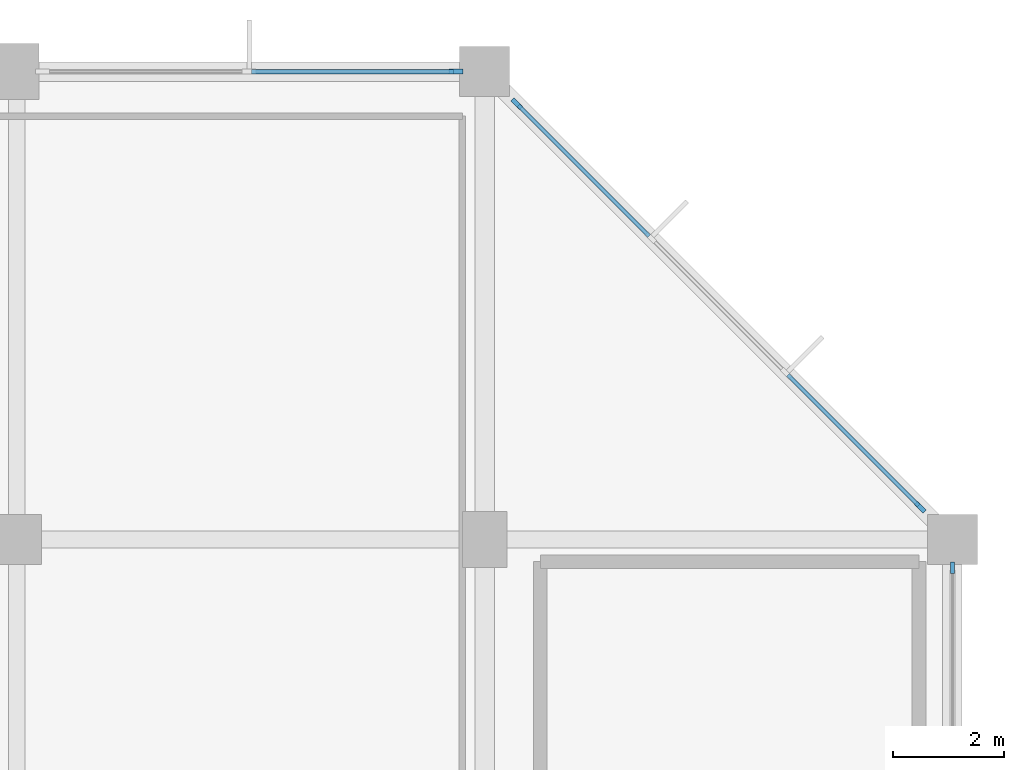
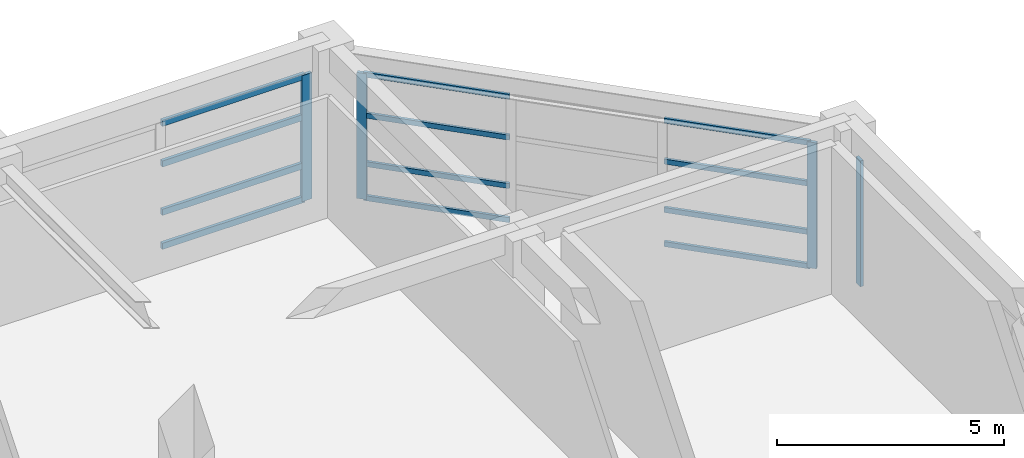
# One storey, part 7 of 12: 16 members, 3 elements without a shape of their own.
"""IFC4 building model written with IfcOpenShell, lengths in metres."""

from ifc_helpers import new_model, si_unit, direction, frame, origin, origin_2d, place, context, subcontext, project, spatial, rectangle, extrude, material, material_profile, profile_set, type_object, element, aggregate, save


model = new_model("IFC4")

# Units and contexts
model_context = context("Model", 3, precision=1e-05, world=origin(), true_north=direction((0.0, 1.0)))
body_context = subcontext(model_context, "Body", "Model", "MODEL_VIEW")
ifc_project = project(units=[si_unit("LENGTHUNIT", "METRE"), si_unit("AREAUNIT", "SQUARE_METRE"), si_unit("VOLUMEUNIT", "CUBIC_METRE"), si_unit("PLANEANGLEUNIT", "RADIAN"), si_unit("MASSUNIT", "GRAM", prefix="KILO")], contexts=[model_context])

# Site, building, storey
site_placement = place(None, origin())
site = spatial("IfcSite", under=ifc_project, at=site_placement, CompositionType="ELEMENT")
building_placement = place(site_placement, origin())
building = spatial("IfcBuilding", under=site, at=building_placement, Name="Xuanlan Plaza Opera House", CompositionType="ELEMENT")
storey_placement = place(building_placement, frame((0.0, 0.0, 61.5)))
storey = spatial("IfcBuildingStorey", under=building, at=storey_placement, Name="L14", CompositionType="ELEMENT", Elevation=61.5)

# Curtain wall, member
ifc_material_1 = material(Name="Anodised Aluminium 6063-T6 and Low-E Glass", Category="aluminium")
curtain_wall_type_1 = type_object("IfcCurtainWallType", Name="ENV-CW-CW-03", PredefinedType="USERDEFINED", material=ifc_material_1)
curtain_wall_1_placement = place(storey_placement, origin())
curtain_wall_1 = element("IfcCurtainWall", 1, at=curtain_wall_1_placement, inside=storey, type_object=curtain_wall_type_1, Name="Unitised Curtain Wall L14-007", ObjectType="UNITISED CURTAIN WALL", PredefinedType="USERDEFINED")
ifc_material_2 = material(Name="Anodised Aluminium 6063-T6", Category="aluminium")
ifc_material_profile_1 = material_profile(ifc_material_2, rectangle(XDim=0.074951171875, YDim=0.199951171875, at=origin_2d()), Name="ALU-M 75x200")
ifc_profile_set_1 = profile_set([ifc_material_profile_1], Name="Anodised Aluminium 6063-T6")
member_type_1 = type_object("IfcMemberType", Name="ENV-CWM-03", PredefinedType="MULLION", material=ifc_profile_set_1)
member_1_placement = place(storey_placement, frame((159.60009765625, 75.092529296875, 0.0), z_axis=(0.0, 0.0, 1.0), x_axis=(-1.0, 0.0, 0.0)))
member_1 = element("IfcMember", 2, at=member_1_placement, type_object=member_type_1, Name="CW-03 mullion 3", PredefinedType="MULLION", context=body_context, shape_type="SweptSolid", body=[
    extrude(rectangle(XDim=0.074951171875, YDim=0.199951171875, at=origin_2d()), origin(), (0.0, 0.0, 1.0), 3.3798828125),
])
aggregate(curtain_wall_1, [member_1])

# Curtain wall, members
curtain_wall_type_2 = type_object("IfcCurtainWallType", Name="ENV-CW-CW-04", PredefinedType="USERDEFINED", material=ifc_material_1)
curtain_wall_2_placement = place(storey_placement, origin())
curtain_wall_2 = element("IfcCurtainWall", 3, at=curtain_wall_2_placement, inside=storey, type_object=curtain_wall_type_2, Name="Unitised Curtain Wall L14-008", ObjectType="UNITISED CURTAIN WALL", PredefinedType="USERDEFINED")
ifc_material_profile_2 = material_profile(ifc_material_2, rectangle(XDim=0.080078125, YDim=0.219970703125, at=origin_2d()), Name="ALU-M 80x220")
ifc_profile_set_2 = profile_set([ifc_material_profile_2], Name="Anodised Aluminium 6063-T6")
member_type_2 = type_object("IfcMemberType", Name="ENV-CWM-04", PredefinedType="MULLION", material=ifc_profile_set_2)
member_2_placement = place(storey_placement, frame((159.022705078125, 76.17724609375, 0.0), z_axis=(0.0, 0.0, 1.0), x_axis=(-0.707106781187, -0.707106781187, 0.0)))
member_2 = element("IfcMember", 4, at=member_2_placement, type_object=member_type_2, Name="CW-04 mullion 1", PredefinedType="MULLION", context=body_context, shape_type="SweptSolid", body=[
    extrude(rectangle(XDim=0.080078125, YDim=0.219970703125, at=origin_2d()), origin(), (0.0, 0.0, 1.0), 3.3798828125),
])
member_3_placement = place(storey_placement, frame((151.77734375, 83.422607421875, 0.0), z_axis=(0.0, 0.0, 1.0), x_axis=(-0.707106781187, -0.707106781187, 0.0)))
member_3 = element("IfcMember", 5, at=member_3_placement, type_object=member_type_2, Name="CW-04 mullion 4", PredefinedType="MULLION", context=body_context, shape_type="SweptSolid", body=[
    extrude(rectangle(XDim=0.080078125, YDim=0.219970703125, at=origin_2d()), origin(), (0.0, 0.0, 1.0), 3.3798828125),
])

# Curtain wall, member
curtain_wall_type_3 = type_object("IfcCurtainWallType", Name="ENV-CW-CW-01", PredefinedType="USERDEFINED", material=ifc_material_1)
curtain_wall_3_placement = place(storey_placement, origin())
curtain_wall_3 = element("IfcCurtainWall", 6, at=curtain_wall_3_placement, inside=storey, type_object=curtain_wall_type_3, Name="Unitised Curtain Wall L14-009", ObjectType="UNITISED CURTAIN WALL", PredefinedType="USERDEFINED")
ifc_material_profile_3 = material_profile(ifc_material_2, rectangle(XDim=0.090087890625, YDim=0.25, at=origin_2d()), Name="ALU-M 90x250")
ifc_profile_set_3 = profile_set([ifc_material_profile_3], Name="Anodised Aluminium 6063-T6")
member_type_3 = type_object("IfcMemberType", Name="ENV-CWM-05", PredefinedType="MULLION", material=ifc_profile_set_3)
member_4_placement = place(storey_placement, frame((150.68505859375, 84.0, 0.0), z_axis=(0.0, 0.0, 1.0), x_axis=(0.0, -1.0, 0.0)))
member_4 = element("IfcMember", 7, at=member_4_placement, type_object=member_type_3, Name="CW-01 mullion 1", PredefinedType="MULLION", context=body_context, shape_type="SweptSolid", body=[
    extrude(rectangle(XDim=0.090087890625, YDim=0.25, at=origin_2d()), origin(), (0.0, 0.0, 1.0), 3.3798828125),
])

# Member
ifc_material_profile_4 = material_profile(ifc_material_2, rectangle(XDim=0.070068359375, YDim=0.135009765625, at=origin_2d()), Name="ALU-T 70x135")
ifc_profile_set_4 = profile_set([ifc_material_profile_4], Name="Anodised Aluminium 6063-T6")
member_type_4 = type_object("IfcMemberType", Name="ENV-CWT-02", PredefinedType="USERDEFINED", material=ifc_profile_set_4)
member_5_placement = place(storey_placement, frame((158.994384765625, 76.20556640625, 0.034912109375), z_axis=(-0.707106781187, 0.707106781187, 0.0), x_axis=(-0.707106781187, -0.707106781187, 0.0)))
member_5 = element("IfcMember", 8, at=member_5_placement, type_object=member_type_4, Name="CW-04 transom 1.1", ObjectType="TRANSOM", PredefinedType="USERDEFINED", context=body_context, shape_type="SweptSolid", body=[
    extrude(rectangle(XDim=0.070068359375, YDim=0.135009765625, at=origin_2d()), origin(), (0.0, 0.0, 1.0), 3.322265625),
])

member_6_placement = place(storey_placement, frame((158.994384765625, 76.20556640625, 0.949951171875), z_axis=(-0.707106781187, 0.707106781187, 0.0), x_axis=(-0.707106781187, -0.707106781187, 0.0)))
member_6 = element("IfcMember", 9, at=member_6_placement, type_object=member_type_4, Name="CW-04 transom 1.2", ObjectType="TRANSOM", PredefinedType="USERDEFINED", context=body_context, shape_type="SweptSolid", body=[
    extrude(rectangle(XDim=0.070068359375, YDim=0.135009765625, at=origin_2d()), origin(), (0.0, 0.0, 1.0), 3.322265625),
])

member_7_placement = place(storey_placement, frame((158.994384765625, 76.20556640625, 2.25), z_axis=(-0.707106781187, 0.707106781187, 0.0), x_axis=(-0.707106781187, -0.707106781187, 0.0)))
member_7 = element("IfcMember", 10, at=member_7_placement, type_object=member_type_4, Name="CW-04 transom 1.3", ObjectType="TRANSOM", PredefinedType="USERDEFINED", context=body_context, shape_type="SweptSolid", body=[
    extrude(rectangle(XDim=0.070068359375, YDim=0.135009765625, at=origin_2d()), origin(), (0.0, 0.0, 1.0), 3.322265625),
])

member_8_placement = place(storey_placement, frame((158.994384765625, 76.20556640625, 3.344970703125), z_axis=(-0.707106781187, 0.707106781187, 0.0), x_axis=(-0.707106781187, -0.707106781187, 0.0)))
member_8 = element("IfcMember", 11, at=member_8_placement, type_object=member_type_4, Name="CW-04 transom 1.4", ObjectType="TRANSOM", PredefinedType="USERDEFINED", context=body_context, shape_type="SweptSolid", body=[
    extrude(rectangle(XDim=0.070068359375, YDim=0.135009765625, at=origin_2d()), origin(), (0.0, 0.0, 1.0), 3.322265625),
])

member_9_placement = place(storey_placement, frame((154.15478515625, 81.045166015625, 0.034912109375), z_axis=(-0.707070037869, 0.707143522595, 0.0), x_axis=(-0.707143522595, -0.707070037869, 0.0)))
member_9 = element("IfcMember", 12, at=member_9_placement, type_object=member_type_4, Name="CW-04 transom 3.1", ObjectType="TRANSOM", PredefinedType="USERDEFINED", context=body_context, shape_type="SweptSolid", body=[
    extrude(rectangle(XDim=0.070068359375, YDim=0.135009765625, at=origin_2d()), origin(), (0.0, 0.0, 1.0), 3.322265625),
])

member_10_placement = place(storey_placement, frame((154.15478515625, 81.045166015625, 0.949951171875), z_axis=(-0.707070037869, 0.707143522595, 0.0), x_axis=(-0.707143522595, -0.707070037869, 0.0)))
member_10 = element("IfcMember", 13, at=member_10_placement, type_object=member_type_4, Name="CW-04 transom 3.2", ObjectType="TRANSOM", PredefinedType="USERDEFINED", context=body_context, shape_type="SweptSolid", body=[
    extrude(rectangle(XDim=0.070068359375, YDim=0.135009765625, at=origin_2d()), origin(), (0.0, 0.0, 1.0), 3.322265625),
])

member_11_placement = place(storey_placement, frame((154.15478515625, 81.045166015625, 2.25), z_axis=(-0.707070037869, 0.707143522595, 0.0), x_axis=(-0.707143522595, -0.707070037869, 0.0)))
member_11 = element("IfcMember", 14, at=member_11_placement, type_object=member_type_4, Name="CW-04 transom 3.3", ObjectType="TRANSOM", PredefinedType="USERDEFINED", context=body_context, shape_type="SweptSolid", body=[
    extrude(rectangle(XDim=0.070068359375, YDim=0.135009765625, at=origin_2d()), origin(), (0.0, 0.0, 1.0), 3.322265625),
])

member_12_placement = place(storey_placement, frame((154.15478515625, 81.045166015625, 3.344970703125), z_axis=(-0.707070037869, 0.707143522595, 0.0), x_axis=(-0.707143522595, -0.707070037869, 0.0)))
member_12 = element("IfcMember", 15, at=member_12_placement, type_object=member_type_4, Name="CW-04 transom 3.4", ObjectType="TRANSOM", PredefinedType="USERDEFINED", context=body_context, shape_type="SweptSolid", body=[
    extrude(rectangle(XDim=0.070068359375, YDim=0.135009765625, at=origin_2d()), origin(), (0.0, 0.0, 1.0), 3.322265625),
])

aggregate(curtain_wall_2, [member_2, member_3, member_5, member_6, member_7, member_8, member_9, member_10, member_11, member_12])

ifc_material_profile_5 = material_profile(ifc_material_2, rectangle(XDim=0.080078125, YDim=0.1650390625, at=origin_2d()), Name="ALU-T 80x165")
ifc_profile_set_5 = profile_set([ifc_material_profile_5], Name="Anodised Aluminium 6063-T6")
member_type_5 = type_object("IfcMemberType", Name="ENV-CWT-04", PredefinedType="USERDEFINED", material=ifc_profile_set_5)
member_13_placement = place(storey_placement, frame((150.639892578125, 84.0, 0.0400390625), z_axis=(-1.0, 0.0, 0.0), x_axis=(0.0, -1.0, 0.0)))
member_13 = element("IfcMember", 16, at=member_13_placement, type_object=member_type_5, Name="CW-01 transom 1.1", ObjectType="TRANSOM", PredefinedType="USERDEFINED", context=body_context, shape_type="SweptSolid", body=[
    extrude(rectangle(XDim=0.080078125, YDim=0.1650390625, at=origin_2d()), origin(), (0.0, 0.0, 1.0), 3.619873046875),
])

member_14_placement = place(storey_placement, frame((150.639892578125, 84.0, 0.949951171875), z_axis=(-1.0, 0.0, 0.0), x_axis=(0.0, -1.0, 0.0)))
member_14 = element("IfcMember", 17, at=member_14_placement, type_object=member_type_5, Name="CW-01 transom 1.2", ObjectType="TRANSOM", PredefinedType="USERDEFINED", context=body_context, shape_type="SweptSolid", body=[
    extrude(rectangle(XDim=0.080078125, YDim=0.1650390625, at=origin_2d()), origin(), (0.0, 0.0, 1.0), 3.619873046875),
])

member_15_placement = place(storey_placement, frame((150.639892578125, 84.0, 2.25), z_axis=(-1.0, 0.0, 0.0), x_axis=(0.0, -1.0, 0.0)))
member_15 = element("IfcMember", 18, at=member_15_placement, type_object=member_type_5, Name="CW-01 transom 1.3", ObjectType="TRANSOM", PredefinedType="USERDEFINED", context=body_context, shape_type="SweptSolid", body=[
    extrude(rectangle(XDim=0.080078125, YDim=0.1650390625, at=origin_2d()), origin(), (0.0, 0.0, 1.0), 3.619873046875),
])

member_16_placement = place(storey_placement, frame((150.639892578125, 84.0, 3.340087890625), z_axis=(-1.0, 0.0, 0.0), x_axis=(0.0, -1.0, 0.0)))
member_16 = element("IfcMember", 19, at=member_16_placement, type_object=member_type_5, Name="CW-01 transom 1.4", ObjectType="TRANSOM", PredefinedType="USERDEFINED", context=body_context, shape_type="SweptSolid", body=[
    extrude(rectangle(XDim=0.080078125, YDim=0.1650390625, at=origin_2d()), origin(), (0.0, 0.0, 1.0), 3.619873046875),
])

aggregate(curtain_wall_3, [member_4, member_13, member_14, member_15, member_16])

save(model, "model.ifc")
